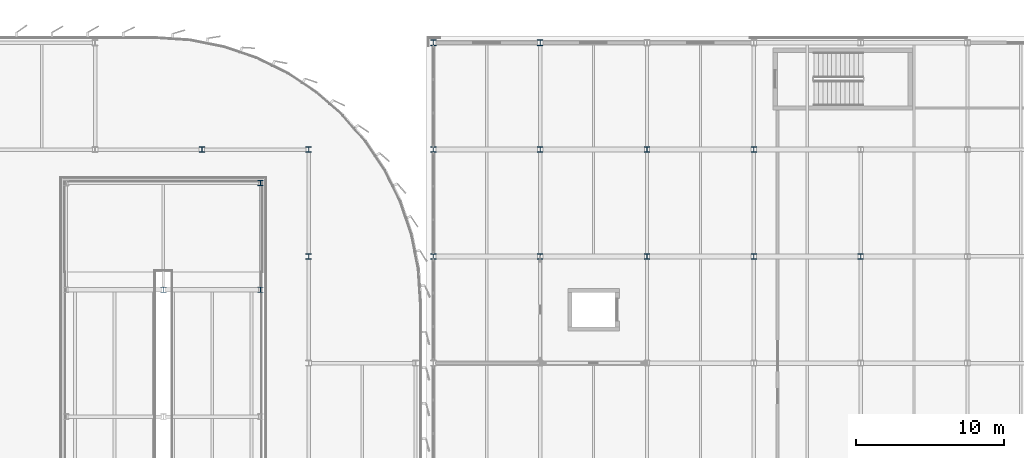
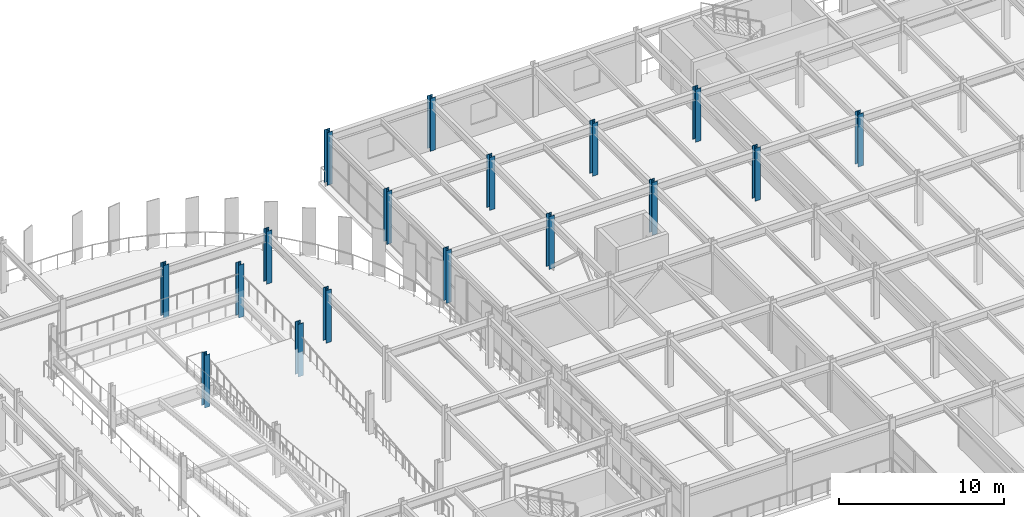
# One storey, part 16 of 93: 17 columns.
"""IFC4 building model written with IfcOpenShell, lengths in metres."""

from ifc_helpers import new_model, si_unit, direction, frame, origin, origin_2d, place, context, subcontext, project, spatial, i_section, extrude, material, material_profile, profile_set, type_object, element, save


model = new_model("IFC4")

# Units and contexts
model_context = context("Model", 3, precision=1e-05, world=origin(), true_north=direction((0.0, 1.0)))
body_context = subcontext(model_context, "Body", "Model", "MODEL_VIEW")
ifc_project = project(units=[si_unit("LENGTHUNIT", "METRE"), si_unit("AREAUNIT", "SQUARE_METRE"), si_unit("VOLUMEUNIT", "CUBIC_METRE"), si_unit("PLANEANGLEUNIT", "RADIAN"), si_unit("MASSUNIT", "GRAM", prefix="KILO")], contexts=[model_context])

# Site, building, storey
site_placement = place(None, origin())
site = spatial("IfcSite", under=ifc_project, at=site_placement, CompositionType="ELEMENT")
building_placement = place(site_placement, origin())
building = spatial("IfcBuilding", under=site, at=building_placement, Name="Vaelcorin Mobility Hub", CompositionType="ELEMENT")
storey_placement = place(building_placement, frame((0.0, 0.0, 5.39990234375)))
storey = spatial("IfcBuildingStorey", under=building, at=storey_placement, Name="L01", CompositionType="ELEMENT", Elevation=5.39990234375)

# Columns
ifc_material = material(Name="Steel ASTM A992 Grade 50", Category="steel")
ifc_material_profile_1 = material_profile(ifc_material, i_section(OverallWidth=0.37109375, OverallDepth=0.363037109375, WebThickness=0.01318359375, FlangeThickness=0.021728515625, FilletRadius=0.014892578125, at=origin_2d()), Name="W14X109")
ifc_profile_set_1 = profile_set([ifc_material_profile_1], Name="Steel ASTM A992 Grade 50")
column_type_1 = type_object("IfcColumnType", Name="COL-W14X109", PredefinedType="COLUMN", material=ifc_profile_set_1)
for number, where, z_axis, x_axis, name in (
    (1, (135.39990234375, 103.35009765625, 0.0), (0.0, 0.0, 1.0), (1.0, 0.0, 0.0), "Column V2E-RDRM-MN L01"),
    (2, (141.949951171875, 103.35009765625, 0.0), (0.0, 0.0, 1.0), (1.0, 0.0, 0.0), "Column V2E-RDRM-EN L01"),
    (3, (141.949951171875, 110.550048828125, 0.0), (0.0, 0.0, 1.0), (1.0, 0.0, 0.0), "Column V2E-RDRM-EB L01"),
):
    element("IfcColumn", number, at=place(storey_placement, frame(where, z_axis=z_axis, x_axis=x_axis)), inside=storey, type_object=column_type_1, Name=name, PredefinedType="COLUMN", context=body_context, shape_type="SweptSolid", body=[
        extrude(i_section(OverallWidth=0.37109375, OverallDepth=0.363037109375, WebThickness=0.01318359375, FlangeThickness=0.021728515625, FilletRadius=0.014892578125, at=origin_2d()), origin(), (0.0, 0.0, 1.0), 3.900146484375),
    ])
ifc_material_profile_2 = material_profile(ifc_material, i_section(OverallWidth=0.373046875, OverallDepth=0.373046875, WebThickness=0.016357421875, FlangeThickness=0.026123046875, FilletRadius=0.014892578125, at=origin_2d()), Name="W14X132")
ifc_profile_set_2 = profile_set([ifc_material_profile_2], Name="Steel ASTM A992 Grade 50")
column_type_2 = type_object("IfcColumnType", Name="COL-W14X132", PredefinedType="COLUMN", material=ifc_profile_set_2)
for number, where, z_axis, x_axis, name in (
    (4, (138.0, 112.800048828125, 0.0), (0.0, 0.0, 1.0), (1.0, 0.0, 0.0), "Column V2E-G3x6 L01"),
    (5, (145.199951171875, 105.60009765625, 0.0), (0.0, 0.0, 1.0), (1.0, 0.0, 0.0), "Column V2E-G4x5 L01"),
    (6, (145.199951171875, 112.800048828125, 0.0), (0.0, 0.0, 1.0), (1.0, 0.0, 0.0), "Column V2E-G4x6 L01"),
    (7, (153.60009765625, 105.60009765625, 0.0), (0.0, 0.0, 1.0), (1.0, 0.0, 0.0), "Column V5-X01Y13 L01"),
    (8, (153.60009765625, 112.800048828125, 0.0), (0.0, 0.0, 1.0), (1.0, 0.0, 0.0), "Column V5-X01Y14 L01"),
    (9, (153.60009765625, 120.0, 0.0), (0.0, 0.0, 1.0), (1.0, 0.0, 0.0), "Column V5-X01Y15 L01"),
    (10, (160.800048828125, 105.60009765625, 0.0), (0.0, 0.0, 1.0), (1.0, 0.0, 0.0), "Column V5-X02Y13 L01"),
    (11, (160.800048828125, 112.800048828125, 0.0), (0.0, 0.0, 1.0), (1.0, 0.0, 0.0), "Column V5-X02Y14 L01"),
    (12, (160.800048828125, 120.0, 0.0), (0.0, 0.0, 1.0), (1.0, 0.0, 0.0), "Column V5-X02Y15 L01"),
    (13, (168.0, 105.60009765625, 0.0), (0.0, 0.0, 1.0), (1.0, 0.0, 0.0), "Column V5-X03Y13 L01"),
    (14, (168.0, 112.800048828125, 0.0), (0.0, 0.0, 1.0), (1.0, 0.0, 0.0), "Column V5-X03Y14 L01"),
    (15, (175.199951171875, 105.60009765625, 0.0), (0.0, 0.0, 1.0), (1.0, 0.0, 0.0), "Column V5-X04Y13 L01"),
    (16, (175.199951171875, 112.800048828125, 0.0), (0.0, 0.0, 1.0), (1.0, 0.0, 0.0), "Column V5-X04Y14 L01"),
    (17, (182.39990234375, 105.60009765625, 0.0), (0.0, 0.0, 1.0), (1.0, 0.0, 0.0), "Column V5-X05Y13 L01"),
):
    element("IfcColumn", number, at=place(storey_placement, frame(where, z_axis=z_axis, x_axis=x_axis)), inside=storey, type_object=column_type_2, Name=name, PredefinedType="COLUMN", context=body_context, shape_type="SweptSolid", body=[
        extrude(i_section(OverallWidth=0.373046875, OverallDepth=0.373046875, WebThickness=0.016357421875, FlangeThickness=0.026123046875, FilletRadius=0.014892578125, at=origin_2d()), origin(), (0.0, 0.0, 1.0), 3.900146484375),
    ])

save(model, "model.ifc")
